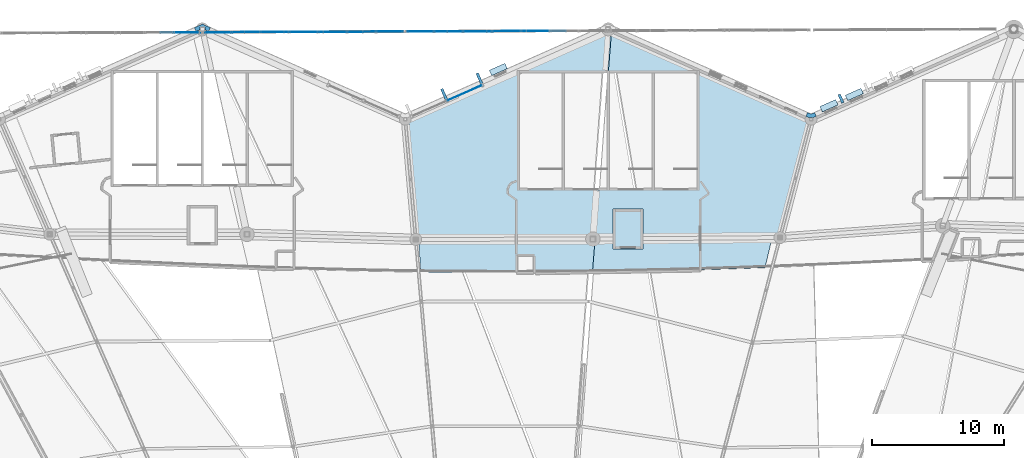
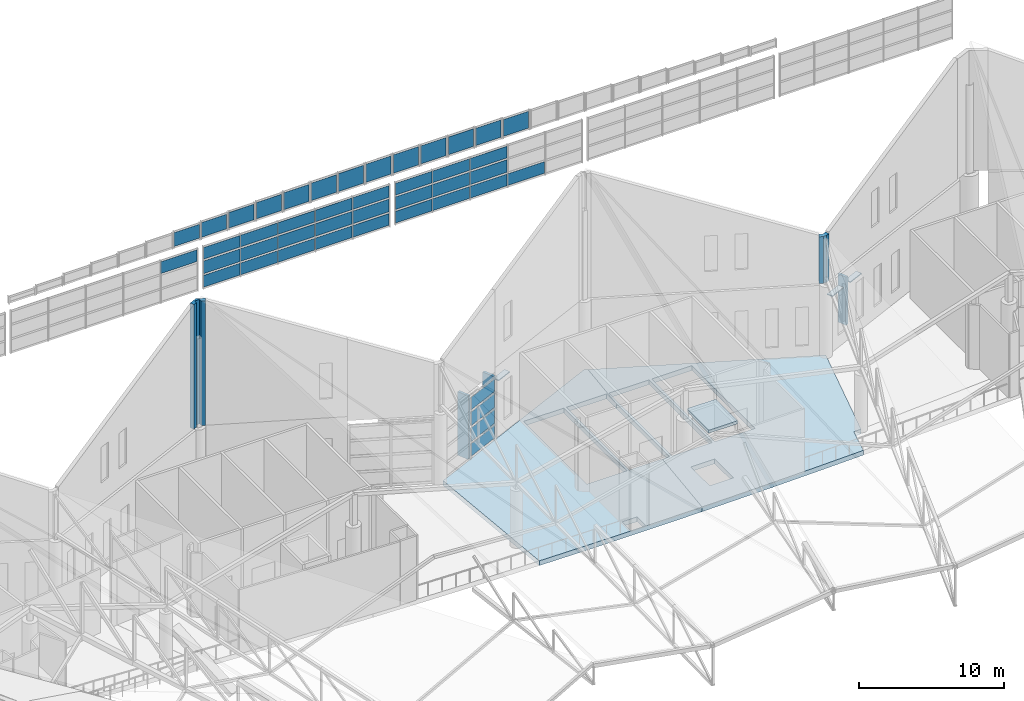
# One storey, part 238 of 344: 51 plates, 3 slabs, 17 elements without a shape of their own.
"""IFC4 building model written with IfcOpenShell, lengths in metres."""

from ifc_helpers import new_model, si_unit, direction, frame, origin, origin_2d, place, context, subcontext, project, spatial, polyline, rectangle, outline, extrude, material, layer, layer_set, type_object, element, aggregate, save


model = new_model("IFC4")

# Units and contexts
model_context = context("Model", 3, precision=1e-05, world=origin(), true_north=direction((0.0, 1.0)))
body_context = subcontext(model_context, "Body", "Model", "MODEL_VIEW")
ifc_project = project(units=[si_unit("LENGTHUNIT", "METRE"), si_unit("AREAUNIT", "SQUARE_METRE"), si_unit("VOLUMEUNIT", "CUBIC_METRE"), si_unit("PLANEANGLEUNIT", "RADIAN"), si_unit("MASSUNIT", "GRAM", prefix="KILO")], contexts=[model_context])

# Site, building, storey
site_placement = place(None, origin())
site = spatial("IfcSite", under=ifc_project, at=site_placement, CompositionType="ELEMENT")
building_placement = place(site_placement, origin())
building = spatial("IfcBuilding", under=site, at=building_placement, Name="Meseta Stadium", CompositionType="ELEMENT")
storey_placement = place(building_placement, frame((0.0, 0.0, 24.0)))
storey = spatial("IfcBuildingStorey", under=building, at=storey_placement, Name="L04", CompositionType="ELEMENT", Elevation=24.0)

# Plates
ifc_material_1 = material(Name="White precast concrete C40/50", Category="concrete")
ifc_layer_1 = layer(ifc_material_1, 0.199951171875)
ifc_layer_set_1 = layer_set([ifc_layer_1], Name="Brise-soleil fin 200x900")
plate_type_1 = type_object("IfcPlateType", Name="Brise-soleil fin 200x900", PredefinedType="USERDEFINED", material=ifc_layer_set_1)
for number, where, z_axis, x_axis, name in (
    (1, (-2.05224609375, 101.664306640625, 0.0), (0.0, 0.0, 1.0), (-0.914139046248, -0.40540079443, 0.0), "Brise-soleil fin F18.1"),
    (2, (-4.72607421875, 100.478271484375, 0.0), (0.0, 0.0, 1.0), (-0.914139046248, -0.40540079443, 0.0), "Brise-soleil fin F18.2"),
):
    element("IfcPlate", number, at=place(storey_placement, frame(where, z_axis=z_axis, x_axis=x_axis)), inside=storey, type_object=plate_type_1, Name=name, ObjectType="FIN", PredefinedType="USERDEFINED", context=body_context, shape_type="SweptSolid", body=[
        extrude(rectangle(XDim=0.199951171875, YDim=0.89990234375, at=origin_2d()), origin(), (0.0, 0.0, 1.0), 5.35009765625),
    ])

# Curtain wall, plates
ifc_material_2 = material(Name="Steel S355", Category="steel")
ifc_layer_2 = layer(ifc_material_2, 0.300048828125)
ifc_layer_set_2 = layer_set([ifc_layer_2], Name="Valley atrium curtain wall")
curtain_wall_type_1 = type_object("IfcCurtainWallType", Name="Valley atrium curtain wall", PredefinedType="NOTDEFINED", material=ifc_layer_set_2)
curtain_wall_1_placement = place(storey_placement, origin())
curtain_wall_1 = element("IfcCurtainWall", 3, at=curtain_wall_1_placement, inside=storey, type_object=curtain_wall_type_1, Name="Valley atrium glazing F18", PredefinedType="NOTDEFINED")
ifc_material_3 = material(Name="Glass", Category="glass")
ifc_layer_3 = layer(ifc_material_3, 0.035888671875)
ifc_layer_set_3 = layer_set([ifc_layer_3], Name="CW glass panel 36")
plate_type_2 = type_object("IfcPlateType", Name="CW glass panel 36", PredefinedType="CURTAIN_PANEL", material=ifc_layer_set_3)
plate_1_placement = place(storey_placement, frame((-3.17626953125, 100.59130859375, 0.199951171875), z_axis=(0.0, 0.0, 1.0), x_axis=(-0.914139046206, -0.405400794526, 0.0)))
plate_1 = element("IfcPlate", 4, at=plate_1_placement, type_object=plate_type_2, Name="CWA panel 1.1", PredefinedType="CURTAIN_PANEL", context=body_context, shape_type="SweptSolid", body=[
    extrude(rectangle(XDim=2.77490234375, YDim=0.035888671875, at=origin_2d()), origin(), (0.0, 0.0, 1.0), 1.03759765625),
])
plate_2_placement = place(storey_placement, frame((-3.17626953125, 100.59130859375, 1.4375), z_axis=(0.0, 0.0, 1.0), x_axis=(-0.914139046206, -0.405400794526, 0.0)))
plate_2 = element("IfcPlate", 5, at=plate_2_placement, type_object=plate_type_2, Name="CWA panel 1.2", PredefinedType="CURTAIN_PANEL", context=body_context, shape_type="SweptSolid", body=[
    extrude(rectangle(XDim=2.77490234375, YDim=0.035888671875, at=origin_2d()), origin(), (0.0, 0.0, 1.0), 1.137451171875),
])
plate_3_placement = place(storey_placement, frame((-3.17626953125, 100.59130859375, 2.77490234375), z_axis=(0.0, 0.0, 1.0), x_axis=(-0.914139046206, -0.405400794526, 0.0)))
plate_3 = element("IfcPlate", 6, at=plate_3_placement, type_object=plate_type_2, Name="CWA panel 1.3", PredefinedType="CURTAIN_PANEL", context=body_context, shape_type="SweptSolid", body=[
    extrude(rectangle(XDim=2.77490234375, YDim=0.035888671875, at=origin_2d()), origin(), (0.0, 0.0, 1.0), 1.137451171875),
])
plate_4_placement = place(storey_placement, frame((-3.17626953125, 100.59130859375, 4.112548828125), z_axis=(0.0, 0.0, 1.0), x_axis=(-0.914139046206, -0.405400794526, 0.0)))
plate_4 = element("IfcPlate", 7, at=plate_4_placement, type_object=plate_type_2, Name="CWA panel 1.4", PredefinedType="CURTAIN_PANEL", context=body_context, shape_type="SweptSolid", body=[
    extrude(rectangle(XDim=2.77490234375, YDim=0.035888671875, at=origin_2d()), origin(), (0.0, 0.0, 1.0), 1.03759765625),
])
aggregate(curtain_wall_1, [plate_1, plate_2, plate_3, plate_4])

# Curtain wall, plate
ifc_material_4 = material(Name="Aluminium", Category="aluminium")
ifc_layer_4 = layer(ifc_material_4, 0.199951171875)
ifc_layer_set_4 = layer_set([ifc_layer_4], Name="Gable glazing curtain wall")
curtain_wall_type_2 = type_object("IfcCurtainWallType", Name="Gable glazing curtain wall", PredefinedType="NOTDEFINED", material=ifc_layer_set_4)
curtain_wall_2_placement = place(storey_placement, origin())
curtain_wall_2 = element("IfcCurtainWall", 8, at=curtain_wall_2_placement, inside=storey, type_object=curtain_wall_type_2, Name="Gable glazing north bay 17", PredefinedType="NOTDEFINED")
plate_5_placement = place(storey_placement, frame((2.181640625, 105.260986328125, 22.0048828125), z_axis=(0.0, 0.0, 1.0), x_axis=(-0.999992598213, -0.003847534181, 0.0)))
plate_5 = element("IfcPlate", 9, at=plate_5_placement, type_object=plate_type_2, Name="CWG panel 1.1", PredefinedType="CURTAIN_PANEL", context=body_context, shape_type="SweptSolid", body=[
    extrude(rectangle(XDim=2.01025390625, YDim=0.035888671875, at=origin_2d()), origin(), (0.0, 0.0, 1.0), 1.416748046875),
])
aggregate(curtain_wall_2, [plate_5])

curtain_wall_3_placement = place(storey_placement, origin())
curtain_wall_3 = element("IfcCurtainWall", 10, at=curtain_wall_3_placement, inside=storey, type_object=curtain_wall_type_2, Name="Gable glazing north bay 18", PredefinedType="NOTDEFINED")
plate_6_placement = place(storey_placement, frame((-0.012451171875, 105.25244140625, 22.0048828125), z_axis=(0.0, 0.0, 1.0), x_axis=(-0.999992598213, -0.003847534181, 0.0)))
plate_6 = element("IfcPlate", 11, at=plate_6_placement, type_object=plate_type_2, Name="CWG panel 1.1", PredefinedType="CURTAIN_PANEL", context=body_context, shape_type="SweptSolid", body=[
    extrude(rectangle(XDim=2.01025390625, YDim=0.035888671875, at=origin_2d()), origin(), (0.0, 0.0, 1.0), 1.46240234375),
])
aggregate(curtain_wall_3, [plate_6])

curtain_wall_4_placement = place(storey_placement, origin())
curtain_wall_4 = element("IfcCurtainWall", 12, at=curtain_wall_4_placement, inside=storey, type_object=curtain_wall_type_2, Name="Gable glazing north bay 19", PredefinedType="NOTDEFINED")
plate_7_placement = place(storey_placement, frame((-2.206787109375, 105.244140625, 22.005126953125), z_axis=(0.0, 0.0, 1.0), x_axis=(-0.999992598213, -0.003847534181, 0.0)))
plate_7 = element("IfcPlate", 13, at=plate_7_placement, type_object=plate_type_2, Name="CWG panel 1.1", PredefinedType="CURTAIN_PANEL", context=body_context, shape_type="SweptSolid", body=[
    extrude(rectangle(XDim=2.01025390625, YDim=0.035888671875, at=origin_2d()), origin(), (0.0, 0.0, 1.0), 1.49658203125),
])
aggregate(curtain_wall_4, [plate_7])

curtain_wall_5_placement = place(storey_placement, origin())
curtain_wall_5 = element("IfcCurtainWall", 14, at=curtain_wall_5_placement, inside=storey, type_object=curtain_wall_type_2, Name="Gable glazing north bay 20", PredefinedType="NOTDEFINED")
plate_8_placement = place(storey_placement, frame((-4.40087890625, 105.235595703125, 22.005126953125), z_axis=(0.0, 0.0, 1.0), x_axis=(-0.999992598213, -0.003847534181, 0.0)))
plate_8 = element("IfcPlate", 15, at=plate_8_placement, type_object=plate_type_2, Name="CWG panel 1.1", PredefinedType="CURTAIN_PANEL", context=body_context, shape_type="SweptSolid", body=[
    extrude(rectangle(XDim=2.01025390625, YDim=0.035888671875, at=origin_2d()), origin(), (0.0, 0.0, 1.0), 1.52001953125),
])
aggregate(curtain_wall_5, [plate_8])

curtain_wall_6_placement = place(storey_placement, origin())
curtain_wall_6 = element("IfcCurtainWall", 16, at=curtain_wall_6_placement, inside=storey, type_object=curtain_wall_type_2, Name="Gable glazing north bay 21", PredefinedType="NOTDEFINED")
plate_9_placement = place(storey_placement, frame((-6.594970703125, 105.22705078125, 22.0048828125), z_axis=(0.0, 0.0, 1.0), x_axis=(-0.999992598213, -0.003847534181, 0.0)))
plate_9 = element("IfcPlate", 17, at=plate_9_placement, type_object=plate_type_2, Name="CWG panel 1.1", PredefinedType="CURTAIN_PANEL", context=body_context, shape_type="SweptSolid", body=[
    extrude(rectangle(XDim=2.01025390625, YDim=0.035888671875, at=origin_2d()), origin(), (0.0, 0.0, 1.0), 1.53271484375),
])
aggregate(curtain_wall_6, [plate_9])

curtain_wall_7_placement = place(storey_placement, origin())
curtain_wall_7 = element("IfcCurtainWall", 18, at=curtain_wall_7_placement, inside=storey, type_object=curtain_wall_type_2, Name="Gable glazing north bay 22", PredefinedType="NOTDEFINED")
plate_10_placement = place(storey_placement, frame((-8.785400390625, 105.21875, 22.0048828125), z_axis=(0.0, 0.0, 1.0), x_axis=(-0.999992598213, -0.003847534233, 0.0)))
plate_10 = element("IfcPlate", 19, at=plate_10_placement, type_object=plate_type_2, Name="CWG panel 1.1", PredefinedType="CURTAIN_PANEL", context=body_context, shape_type="SweptSolid", body=[
    extrude(rectangle(XDim=2.002685546875, YDim=0.035888671875, at=origin_2d()), origin(), (0.0, 0.0, 1.0), 1.525146484375),
])
aggregate(curtain_wall_7, [plate_10])

curtain_wall_8_placement = place(storey_placement, origin())
curtain_wall_8 = element("IfcCurtainWall", 20, at=curtain_wall_8_placement, inside=storey, type_object=curtain_wall_type_2, Name="Gable glazing north bay 23", PredefinedType="NOTDEFINED")
plate_11_placement = place(storey_placement, frame((-10.97216796875, 105.210205078125, 22.0048828125), z_axis=(0.0, 0.0, 1.0), x_axis=(-0.999992598213, -0.003847534233, 0.0)))
plate_11 = element("IfcPlate", 21, at=plate_11_placement, type_object=plate_type_2, Name="CWG panel 1.1", PredefinedType="CURTAIN_PANEL", context=body_context, shape_type="SweptSolid", body=[
    extrude(rectangle(XDim=2.002685546875, YDim=0.035888671875, at=origin_2d()), origin(), (0.0, 0.0, 1.0), 1.50537109375),
])
aggregate(curtain_wall_8, [plate_11])

curtain_wall_9_placement = place(storey_placement, origin())
curtain_wall_9 = element("IfcCurtainWall", 22, at=curtain_wall_9_placement, inside=storey, type_object=curtain_wall_type_2, Name="Gable glazing north bay 24", PredefinedType="NOTDEFINED")
plate_12_placement = place(storey_placement, frame((-13.158935546875, 105.201904296875, 22.0048828125), z_axis=(0.0, 0.0, 1.0), x_axis=(-0.999992598213, -0.003847534233, 0.0)))
plate_12 = element("IfcPlate", 23, at=plate_12_placement, type_object=plate_type_2, Name="CWG panel 1.1", PredefinedType="CURTAIN_PANEL", context=body_context, shape_type="SweptSolid", body=[
    extrude(rectangle(XDim=2.002685546875, YDim=0.035888671875, at=origin_2d()), origin(), (0.0, 0.0, 1.0), 1.474609375),
])
aggregate(curtain_wall_9, [plate_12])

curtain_wall_10_placement = place(storey_placement, origin())
curtain_wall_10 = element("IfcCurtainWall", 24, at=curtain_wall_10_placement, inside=storey, type_object=curtain_wall_type_2, Name="Gable glazing north bay 25", PredefinedType="NOTDEFINED")
plate_13_placement = place(storey_placement, frame((-15.345703125, 105.193359375, 22.0048828125), z_axis=(0.0, 0.0, 1.0), x_axis=(-0.999992598213, -0.003847534233, 0.0)))
plate_13 = element("IfcPlate", 25, at=plate_13_placement, type_object=plate_type_2, Name="CWG panel 1.1", PredefinedType="CURTAIN_PANEL", context=body_context, shape_type="SweptSolid", body=[
    extrude(rectangle(XDim=2.002685546875, YDim=0.035888671875, at=origin_2d()), origin(), (0.0, 0.0, 1.0), 1.432861328125),
])
aggregate(curtain_wall_10, [plate_13])

curtain_wall_11_placement = place(storey_placement, origin())
curtain_wall_11 = element("IfcCurtainWall", 26, at=curtain_wall_11_placement, inside=storey, type_object=curtain_wall_type_2, Name="Gable glazing north bay 26", PredefinedType="NOTDEFINED")
plate_14_placement = place(storey_placement, frame((-17.5322265625, 105.18505859375, 22.005126953125), z_axis=(0.0, 0.0, 1.0), x_axis=(-0.999992598213, -0.003847534233, 0.0)))
plate_14 = element("IfcPlate", 27, at=plate_14_placement, type_object=plate_type_2, Name="CWG panel 1.1", PredefinedType="CURTAIN_PANEL", context=body_context, shape_type="SweptSolid", body=[
    extrude(rectangle(XDim=2.002685546875, YDim=0.035888671875, at=origin_2d()), origin(), (0.0, 0.0, 1.0), 1.3798828125),
])
aggregate(curtain_wall_11, [plate_14])

curtain_wall_12_placement = place(storey_placement, origin())
curtain_wall_12 = element("IfcCurtainWall", 28, at=curtain_wall_12_placement, inside=storey, type_object=curtain_wall_type_2, Name="Gable glazing north bay 27", PredefinedType="NOTDEFINED")
plate_15_placement = place(storey_placement, frame((-19.718994140625, 105.1767578125, 22.005126953125), z_axis=(0.0, 0.0, 1.0), x_axis=(-0.999992598213, -0.003847534233, 0.0)))
plate_15 = element("IfcPlate", 29, at=plate_15_placement, type_object=plate_type_2, Name="CWG panel 1.1", PredefinedType="CURTAIN_PANEL", context=body_context, shape_type="SweptSolid", body=[
    extrude(rectangle(XDim=2.002685546875, YDim=0.035888671875, at=origin_2d()), origin(), (0.0, 0.0, 1.0), 1.31591796875),
])
aggregate(curtain_wall_12, [plate_15])

curtain_wall_13_placement = place(storey_placement, origin())
curtain_wall_13 = element("IfcCurtainWall", 30, at=curtain_wall_13_placement, inside=storey, type_object=curtain_wall_type_2, Name="Gable glazing north bay 28", PredefinedType="NOTDEFINED")
plate_16_placement = place(storey_placement, frame((-21.90576171875, 105.168212890625, 22.0048828125), z_axis=(0.0, 0.0, 1.0), x_axis=(-0.999992598213, -0.003847534233, 0.0)))
plate_16 = element("IfcPlate", 31, at=plate_16_placement, type_object=plate_type_2, Name="CWG panel 1.1", PredefinedType="CURTAIN_PANEL", context=body_context, shape_type="SweptSolid", body=[
    extrude(rectangle(XDim=2.002685546875, YDim=0.035888671875, at=origin_2d()), origin(), (0.0, 0.0, 1.0), 1.24072265625),
])
aggregate(curtain_wall_13, [plate_16])

curtain_wall_14_placement = place(storey_placement, origin())
curtain_wall_14 = element("IfcCurtainWall", 32, at=curtain_wall_14_placement, inside=storey, type_object=curtain_wall_type_2, Name="Gable glazing north bay 29", PredefinedType="NOTDEFINED")
plate_17_placement = place(storey_placement, frame((-24.09619140625, 105.159912109375, 22.0048828125), z_axis=(0.0, 0.0, 1.0), x_axis=(-0.999992598213, -0.003847534181, 0.0)))
plate_17 = element("IfcPlate", 33, at=plate_17_placement, type_object=plate_type_2, Name="CWG panel 1.1", PredefinedType="CURTAIN_PANEL", context=body_context, shape_type="SweptSolid", body=[
    extrude(rectangle(XDim=2.01025390625, YDim=0.035888671875, at=origin_2d()), origin(), (0.0, 0.0, 1.0), 1.153564453125),
])
aggregate(curtain_wall_14, [plate_17])

# Curtain wall, plates
curtain_wall_15_placement = place(storey_placement, origin())
curtain_wall_15 = element("IfcCurtainWall", 34, at=curtain_wall_15_placement, inside=storey, type_object=curtain_wall_type_2, Name="Gable glazing north lower bay 03", PredefinedType="NOTDEFINED")
plate_18_placement = place(storey_placement, frame((2.981201171875, 105.263916015625, 17.75), z_axis=(0.0, 0.0, 1.0), x_axis=(-0.999992598213, -0.003847534216, 0.0)))
plate_18 = element("IfcPlate", 35, at=plate_18_placement, type_object=plate_type_2, Name="CWG panel 2.1", PredefinedType="CURTAIN_PANEL", context=body_context, shape_type="SweptSolid", body=[
    extrude(rectangle(XDim=2.93359375, YDim=0.035888671875, at=origin_2d()), origin(), (0.0, 0.0, 1.0), 0.986572265625),
])
plate_19_placement = place(storey_placement, frame((-0.012451171875, 105.25244140625, 17.75), z_axis=(0.0, 0.0, 1.0), x_axis=(-0.999992598213, -0.003847534216, 0.0)))
plate_19 = element("IfcPlate", 36, at=plate_19_placement, type_object=plate_type_2, Name="CWG panel 3.1", PredefinedType="CURTAIN_PANEL", context=body_context, shape_type="SweptSolid", body=[
    extrude(rectangle(XDim=2.93359375, YDim=0.035888671875, at=origin_2d()), origin(), (0.0, 0.0, 1.0), 0.986572265625),
])
plate_20_placement = place(storey_placement, frame((-0.012451171875, 105.25244140625, 18.88671875), z_axis=(0.0, 0.0, 1.0), x_axis=(-0.999992598213, -0.003847534216, 0.0)))
plate_20 = element("IfcPlate", 37, at=plate_20_placement, type_object=plate_type_2, Name="CWG panel 3.2", PredefinedType="CURTAIN_PANEL", context=body_context, shape_type="SweptSolid", body=[
    extrude(rectangle(XDim=2.93359375, YDim=0.035888671875, at=origin_2d()), origin(), (0.0, 0.0, 1.0), 1.061767578125),
])
plate_21_placement = place(storey_placement, frame((-0.012451171875, 105.25244140625, 20.09814453125), z_axis=(0.0, 0.0, 1.0), x_axis=(-0.999992598213, -0.003847534216, 0.0)))
plate_21 = element("IfcPlate", 38, at=plate_21_placement, type_object=plate_type_2, Name="CWG panel 3.3", PredefinedType="CURTAIN_PANEL", context=body_context, shape_type="SweptSolid", body=[
    extrude(rectangle(XDim=2.93359375, YDim=0.035888671875, at=origin_2d()), origin(), (0.0, 0.0, 1.0), 0.986572265625),
])
plate_22_placement = place(storey_placement, frame((-3.006103515625, 105.240966796875, 17.75), z_axis=(0.0, 0.0, 1.0), x_axis=(-0.999992598213, -0.003847534216, 0.0)))
plate_22 = element("IfcPlate", 39, at=plate_22_placement, type_object=plate_type_2, Name="CWG panel 4.1", PredefinedType="CURTAIN_PANEL", context=body_context, shape_type="SweptSolid", body=[
    extrude(rectangle(XDim=2.93359375, YDim=0.035888671875, at=origin_2d()), origin(), (0.0, 0.0, 1.0), 0.986572265625),
])
plate_23_placement = place(storey_placement, frame((-3.006103515625, 105.240966796875, 18.88671875), z_axis=(0.0, 0.0, 1.0), x_axis=(-0.999992598213, -0.003847534216, 0.0)))
plate_23 = element("IfcPlate", 40, at=plate_23_placement, type_object=plate_type_2, Name="CWG panel 4.2", PredefinedType="CURTAIN_PANEL", context=body_context, shape_type="SweptSolid", body=[
    extrude(rectangle(XDim=2.93359375, YDim=0.035888671875, at=origin_2d()), origin(), (0.0, 0.0, 1.0), 1.061767578125),
])
plate_24_placement = place(storey_placement, frame((-3.006103515625, 105.240966796875, 20.09814453125), z_axis=(0.0, 0.0, 1.0), x_axis=(-0.999992598213, -0.003847534216, 0.0)))
plate_24 = element("IfcPlate", 41, at=plate_24_placement, type_object=plate_type_2, Name="CWG panel 4.3", PredefinedType="CURTAIN_PANEL", context=body_context, shape_type="SweptSolid", body=[
    extrude(rectangle(XDim=2.93359375, YDim=0.035888671875, at=origin_2d()), origin(), (0.0, 0.0, 1.0), 0.986572265625),
])
plate_25_placement = place(storey_placement, frame((-5.98486328125, 105.2294921875, 17.75), z_axis=(0.0, 0.0, 1.0), x_axis=(-0.999992598213, -0.003847534216, 0.0)))
plate_25 = element("IfcPlate", 42, at=plate_25_placement, type_object=plate_type_2, Name="CWG panel 5.1", PredefinedType="CURTAIN_PANEL", context=body_context, shape_type="SweptSolid", body=[
    extrude(rectangle(XDim=2.903564453125, YDim=0.035888671875, at=origin_2d()), origin(), (0.0, 0.0, 1.0), 0.986572265625),
])
plate_26_placement = place(storey_placement, frame((-5.98486328125, 105.2294921875, 18.88671875), z_axis=(0.0, 0.0, 1.0), x_axis=(-0.999992598213, -0.003847534216, 0.0)))
plate_26 = element("IfcPlate", 43, at=plate_26_placement, type_object=plate_type_2, Name="CWG panel 5.2", PredefinedType="CURTAIN_PANEL", context=body_context, shape_type="SweptSolid", body=[
    extrude(rectangle(XDim=2.903564453125, YDim=0.035888671875, at=origin_2d()), origin(), (0.0, 0.0, 1.0), 1.061767578125),
])
plate_27_placement = place(storey_placement, frame((-5.98486328125, 105.2294921875, 20.09814453125), z_axis=(0.0, 0.0, 1.0), x_axis=(-0.999992598213, -0.003847534216, 0.0)))
plate_27 = element("IfcPlate", 44, at=plate_27_placement, type_object=plate_type_2, Name="CWG panel 5.3", PredefinedType="CURTAIN_PANEL", context=body_context, shape_type="SweptSolid", body=[
    extrude(rectangle(XDim=2.903564453125, YDim=0.035888671875, at=origin_2d()), origin(), (0.0, 0.0, 1.0), 0.986572265625),
])
aggregate(curtain_wall_15, [plate_18, plate_19, plate_20, plate_21, plate_22, plate_23, plate_24, plate_25, plate_26, plate_27])

curtain_wall_16_placement = place(storey_placement, origin())
curtain_wall_16 = element("IfcCurtainWall", 45, at=curtain_wall_16_placement, inside=storey, type_object=curtain_wall_type_2, Name="Gable glazing north lower bay 04", PredefinedType="NOTDEFINED")
plate_28_placement = place(storey_placement, frame((-9.394287109375, 105.21630859375, 17.75), z_axis=(0.0, 0.0, 1.0), x_axis=(-0.999992598213, -0.003847534198, 0.0)))
plate_28 = element("IfcPlate", 46, at=plate_28_placement, type_object=plate_type_2, Name="CWG panel 1.1", PredefinedType="CURTAIN_PANEL", context=body_context, shape_type="SweptSolid", body=[
    extrude(rectangle(XDim=2.893310546875, YDim=0.035888671875, at=origin_2d()), origin(), (0.0, 0.0, 1.0), 0.986572265625),
])
plate_29_placement = place(storey_placement, frame((-9.394287109375, 105.21630859375, 18.88671875), z_axis=(0.0, 0.0, 1.0), x_axis=(-0.999992598213, -0.003847534198, 0.0)))
plate_29 = element("IfcPlate", 47, at=plate_29_placement, type_object=plate_type_2, Name="CWG panel 1.2", PredefinedType="CURTAIN_PANEL", context=body_context, shape_type="SweptSolid", body=[
    extrude(rectangle(XDim=2.893310546875, YDim=0.035888671875, at=origin_2d()), origin(), (0.0, 0.0, 1.0), 1.061767578125),
])
plate_30_placement = place(storey_placement, frame((-9.394287109375, 105.21630859375, 20.09814453125), z_axis=(0.0, 0.0, 1.0), x_axis=(-0.999992598213, -0.003847534198, 0.0)))
plate_30 = element("IfcPlate", 48, at=plate_30_placement, type_object=plate_type_2, Name="CWG panel 1.3", PredefinedType="CURTAIN_PANEL", context=body_context, shape_type="SweptSolid", body=[
    extrude(rectangle(XDim=2.893310546875, YDim=0.035888671875, at=origin_2d()), origin(), (0.0, 0.0, 1.0), 0.986572265625),
])
plate_31_placement = place(storey_placement, frame((-12.362548828125, 105.204833984375, 17.75), z_axis=(0.0, 0.0, 1.0), x_axis=(-0.999992598213, -0.003847534198, 0.0)))
plate_31 = element("IfcPlate", 49, at=plate_31_placement, type_object=plate_type_2, Name="CWG panel 2.1", PredefinedType="CURTAIN_PANEL", context=body_context, shape_type="SweptSolid", body=[
    extrude(rectangle(XDim=2.923095703125, YDim=0.035888671875, at=origin_2d()), origin(), (0.0, 0.0, 1.0), 0.986572265625),
])
plate_32_placement = place(storey_placement, frame((-12.362548828125, 105.204833984375, 18.88671875), z_axis=(0.0, 0.0, 1.0), x_axis=(-0.999992598213, -0.003847534198, 0.0)))
plate_32 = element("IfcPlate", 50, at=plate_32_placement, type_object=plate_type_2, Name="CWG panel 2.2", PredefinedType="CURTAIN_PANEL", context=body_context, shape_type="SweptSolid", body=[
    extrude(rectangle(XDim=2.923095703125, YDim=0.035888671875, at=origin_2d()), origin(), (0.0, 0.0, 1.0), 1.061767578125),
])
plate_33_placement = place(storey_placement, frame((-12.362548828125, 105.204833984375, 20.09814453125), z_axis=(0.0, 0.0, 1.0), x_axis=(-0.999992598213, -0.003847534198, 0.0)))
plate_33 = element("IfcPlate", 51, at=plate_33_placement, type_object=plate_type_2, Name="CWG panel 2.3", PredefinedType="CURTAIN_PANEL", context=body_context, shape_type="SweptSolid", body=[
    extrude(rectangle(XDim=2.923095703125, YDim=0.035888671875, at=origin_2d()), origin(), (0.0, 0.0, 1.0), 0.986572265625),
])
plate_34_placement = place(storey_placement, frame((-15.345703125, 105.193359375, 17.75), z_axis=(0.0, 0.0, 1.0), x_axis=(-0.999992598213, -0.003847534198, 0.0)))
plate_34 = element("IfcPlate", 52, at=plate_34_placement, type_object=plate_type_2, Name="CWG panel 3.1", PredefinedType="CURTAIN_PANEL", context=body_context, shape_type="SweptSolid", body=[
    extrude(rectangle(XDim=2.923095703125, YDim=0.035888671875, at=origin_2d()), origin(), (0.0, 0.0, 1.0), 0.986572265625),
])
plate_35_placement = place(storey_placement, frame((-15.345703125, 105.193359375, 18.88671875), z_axis=(0.0, 0.0, 1.0), x_axis=(-0.999992598213, -0.003847534198, 0.0)))
plate_35 = element("IfcPlate", 53, at=plate_35_placement, type_object=plate_type_2, Name="CWG panel 3.2", PredefinedType="CURTAIN_PANEL", context=body_context, shape_type="SweptSolid", body=[
    extrude(rectangle(XDim=2.923095703125, YDim=0.035888671875, at=origin_2d()), origin(), (0.0, 0.0, 1.0), 1.061767578125),
])
plate_36_placement = place(storey_placement, frame((-15.345703125, 105.193359375, 20.09814453125), z_axis=(0.0, 0.0, 1.0), x_axis=(-0.999992598213, -0.003847534198, 0.0)))
plate_36 = element("IfcPlate", 54, at=plate_36_placement, type_object=plate_type_2, Name="CWG panel 3.3", PredefinedType="CURTAIN_PANEL", context=body_context, shape_type="SweptSolid", body=[
    extrude(rectangle(XDim=2.923095703125, YDim=0.035888671875, at=origin_2d()), origin(), (0.0, 0.0, 1.0), 0.986572265625),
])
plate_37_placement = place(storey_placement, frame((-18.328857421875, 105.181884765625, 17.75), z_axis=(0.0, 0.0, 1.0), x_axis=(-0.999992598213, -0.003847534198, 0.0)))
plate_37 = element("IfcPlate", 55, at=plate_37_placement, type_object=plate_type_2, Name="CWG panel 4.1", PredefinedType="CURTAIN_PANEL", context=body_context, shape_type="SweptSolid", body=[
    extrude(rectangle(XDim=2.923095703125, YDim=0.035888671875, at=origin_2d()), origin(), (0.0, 0.0, 1.0), 0.986572265625),
])
plate_38_placement = place(storey_placement, frame((-18.328857421875, 105.181884765625, 18.88671875), z_axis=(0.0, 0.0, 1.0), x_axis=(-0.999992598213, -0.003847534198, 0.0)))
plate_38 = element("IfcPlate", 56, at=plate_38_placement, type_object=plate_type_2, Name="CWG panel 4.2", PredefinedType="CURTAIN_PANEL", context=body_context, shape_type="SweptSolid", body=[
    extrude(rectangle(XDim=2.923095703125, YDim=0.035888671875, at=origin_2d()), origin(), (0.0, 0.0, 1.0), 1.061767578125),
])
plate_39_placement = place(storey_placement, frame((-18.328857421875, 105.181884765625, 20.09814453125), z_axis=(0.0, 0.0, 1.0), x_axis=(-0.999992598213, -0.003847534198, 0.0)))
plate_39 = element("IfcPlate", 57, at=plate_39_placement, type_object=plate_type_2, Name="CWG panel 4.3", PredefinedType="CURTAIN_PANEL", context=body_context, shape_type="SweptSolid", body=[
    extrude(rectangle(XDim=2.923095703125, YDim=0.035888671875, at=origin_2d()), origin(), (0.0, 0.0, 1.0), 0.986572265625),
])
plate_40_placement = place(storey_placement, frame((-21.297119140625, 105.170654296875, 17.75), z_axis=(0.0, 0.0, 1.0), x_axis=(-0.999992598213, -0.003847534198, 0.0)))
plate_40 = element("IfcPlate", 58, at=plate_40_placement, type_object=plate_type_2, Name="CWG panel 5.1", PredefinedType="CURTAIN_PANEL", context=body_context, shape_type="SweptSolid", body=[
    extrude(rectangle(XDim=2.893310546875, YDim=0.035888671875, at=origin_2d()), origin(), (0.0, 0.0, 1.0), 0.986572265625),
])
plate_41_placement = place(storey_placement, frame((-21.297119140625, 105.170654296875, 18.88671875), z_axis=(0.0, 0.0, 1.0), x_axis=(-0.999992598213, -0.003847534198, 0.0)))
plate_41 = element("IfcPlate", 59, at=plate_41_placement, type_object=plate_type_2, Name="CWG panel 5.2", PredefinedType="CURTAIN_PANEL", context=body_context, shape_type="SweptSolid", body=[
    extrude(rectangle(XDim=2.893310546875, YDim=0.035888671875, at=origin_2d()), origin(), (0.0, 0.0, 1.0), 1.061767578125),
])
plate_42_placement = place(storey_placement, frame((-21.297119140625, 105.170654296875, 20.09814453125), z_axis=(0.0, 0.0, 1.0), x_axis=(-0.999992598213, -0.003847534198, 0.0)))
plate_42 = element("IfcPlate", 60, at=plate_42_placement, type_object=plate_type_2, Name="CWG panel 5.3", PredefinedType="CURTAIN_PANEL", context=body_context, shape_type="SweptSolid", body=[
    extrude(rectangle(XDim=2.893310546875, YDim=0.035888671875, at=origin_2d()), origin(), (0.0, 0.0, 1.0), 0.986572265625),
])
aggregate(curtain_wall_16, [plate_28, plate_29, plate_30, plate_31, plate_32, plate_33, plate_34, plate_35, plate_36, plate_37, plate_38, plate_39, plate_40, plate_41, plate_42])

# Curtain wall, plate
curtain_wall_17_placement = place(storey_placement, origin())
curtain_wall_17 = element("IfcCurtainWall", 61, at=curtain_wall_17_placement, inside=storey, type_object=curtain_wall_type_2, Name="Gable glazing north lower bay 05", PredefinedType="NOTDEFINED")
plate_43_placement = place(storey_placement, frame((-24.706298828125, 105.157470703125, 20.09814453125), z_axis=(0.0, 0.0, 1.0), x_axis=(-0.999992598213, -0.003847534216, 0.0)))
plate_43 = element("IfcPlate", 62, at=plate_43_placement, type_object=plate_type_2, Name="CWG panel 1.3", PredefinedType="CURTAIN_PANEL", context=body_context, shape_type="SweptSolid", body=[
    extrude(rectangle(XDim=2.903564453125, YDim=0.035888671875, at=origin_2d()), origin(), (0.0, 0.0, 1.0), 0.986572265625),
])
aggregate(curtain_wall_17, [plate_43])

# Slabs
ifc_material_5 = material(Name="Concrete C40/50", Category="concrete")
ifc_layer_5 = layer(ifc_material_5, 0.25)
ifc_layer_set_5 = layer_set([ifc_layer_5], Name="Core roof slab 250")
slab_type_1 = type_object("IfcSlabType", Name="Core roof slab 250", PredefinedType="ROOF", material=ifc_layer_set_5)
slab_1_placement = place(storey_placement, frame((0.0, 0.0, 4.60009765625)))
element("IfcSlab", 63, at=slab_1_placement, inside=storey, type_object=slab_type_1, Name="Core 10 lift overrun roof", PredefinedType="ROOF", context=body_context, shape_type="SweptSolid", body=[
    extrude(outline(polyline([(10.316650390625, 91.800048828125), (10.316650390625, 88.800048828125), (8.0166015625, 88.800048828125), (8.0166015625, 91.800048828125), (10.316650390625, 91.800048828125)])), origin(), (0.0, 0.0, 1.0), 0.25),
])
ifc_material_6 = material(Name="Concrete C40/50", Category="concrete")
ifc_layer_6 = layer(ifc_material_6, 0.39990234375)
ifc_layer_set_6 = layer_set([ifc_layer_6], Name="Floor slab 400")
slab_type_2 = type_object("IfcSlabType", Name="Floor slab 400", PredefinedType="FLOOR", material=ifc_layer_set_6)
slab_2_placement = place(storey_placement, frame((0.0, 0.0, -0.39990234375)))
element("IfcSlab", 64, at=slab_2_placement, inside=storey, type_object=slab_type_2, Name="Floor slab L04 sector 14 panel 03", PredefinedType="FLOOR", context=body_context, shape_type="SweptSolid", body=[
    extrude(outline(polyline([(7.566650390625, 102.10009765625), (7.566650390625, 100.740478515625), (7.92724609375, 105.284423828125), (7.666748046875, 105.39990234375), (-7.406005859375, 98.715576171875), (-6.4794921875, 87.04345703125), (-4.318603515625, 87.019287109375), (-2.158935546875, 87.0048828125), (0.0, 87.0), (2.158935546875, 87.0048828125), (4.318603515625, 87.019287109375), (6.4794921875, 87.04345703125), (6.984130859375, 93.39990234375), (4.36669921875, 93.39990234375), (4.36669921875, 102.10009765625), (7.566650390625, 102.10009765625)]), holes=[polyline([(0.966796875, 102.10009765625), (4.166748046875, 102.10009765625), (4.166748046875, 93.39990234375), (0.966796875, 93.39990234375), (0.966796875, 102.10009765625)]), polyline([(0.816650390625, 87.050048828125), (0.816650390625, 88.25), (2.0166015625, 88.25), (2.0166015625, 87.050048828125), (0.816650390625, 87.050048828125)])]), origin(), (0.0, 0.0, 1.0), 0.39990234375),
])
slab_3_placement = place(storey_placement, frame((0.0, 0.0, -0.39990234375)))
element("IfcSlab", 65, at=slab_3_placement, inside=storey, type_object=slab_type_2, Name="Floor slab L04 sector 14 panel 04", PredefinedType="FLOOR", context=body_context, shape_type="SweptSolid", body=[
    extrude(outline(polyline([(8.64306640625, 87.0771484375), (10.8095703125, 87.119873046875), (12.9794921875, 87.171630859375), (15.154052734375, 87.23193359375), (17.33349609375, 87.30078125), (19.518310546875, 87.37744140625), (20.059814453125, 89.651611328125), (20.649658203125, 89.65625), (23.0, 98.60009765625), (7.92724609375, 105.284423828125), (7.566650390625, 100.740478515625), (7.566650390625, 93.39990234375), (6.984130859375, 93.39990234375), (6.4794921875, 87.04345703125), (8.64306640625, 87.0771484375)]), holes=[polyline([(8.216796875, 91.60009765625), (10.11669921875, 91.60009765625), (10.11669921875, 89.0), (8.216796875, 89.0), (8.216796875, 91.60009765625)]), polyline([(10.966796875, 93.39990234375), (7.7666015625, 93.39990234375), (7.7666015625, 102.10009765625), (10.966796875, 102.10009765625), (10.966796875, 93.39990234375)]), polyline([(14.36669921875, 93.39990234375), (11.166748046875, 93.39990234375), (11.166748046875, 102.10009765625), (14.36669921875, 102.10009765625), (14.36669921875, 93.39990234375)])]), origin(), (0.0, 0.0, 1.0), 0.39990234375),
])

# Plates
ifc_material_7 = material(Name="White precast concrete C40/50", Category="concrete")
ifc_layer_7 = layer(ifc_material_7, 0.320068359375)
ifc_layer_set_7 = layer_set([ifc_layer_7], Name="Fold closer plate 320")
plate_type_3 = type_object("IfcPlateType", Name="Fold closer plate 320", PredefinedType="USERDEFINED", material=ifc_layer_set_7)
plate_44_placement = place(storey_placement, frame((0.0, 0.0, 6.0)))
element("IfcPlate", 66, at=plate_44_placement, inside=storey, type_object=plate_type_3, Name="Pleated fascia fold closer L04 F16", ObjectType="CLADDING", PredefinedType="USERDEFINED", context=body_context, shape_type="SweptSolid", body=[
    extrude(outline(polyline([(23.0, 98.993896484375), (22.735107421875, 99.111328125), (22.605224609375, 98.81884765625), (22.8798828125, 98.697021484375), (22.880859375, 98.7138671875), (22.888916015625, 98.719970703125), (23.110107421875, 98.719970703125), (23.119140625, 98.7138671875), (23.1201171875, 98.697021484375), (23.394775390625, 98.81884765625), (23.264892578125, 99.111328125), (23.0, 98.993896484375)])), origin(), (0.0, 0.0, 1.0), 3.9453125),
])
plate_45_placement = place(storey_placement, frame((0.0, 0.0, 6.0)))
element("IfcPlate", 67, at=plate_45_placement, inside=storey, type_object=plate_type_3, Name="Pleated fascia fold closer L04 F19", ObjectType="CLADDING", PredefinedType="USERDEFINED", context=body_context, shape_type="SweptSolid", body=[
    extrude(outline(polyline([(-23.0, 105.793701171875), (-23.6025390625, 105.526611328125), (-23.472900390625, 105.23388671875), (-23.18505859375, 105.36181640625), (-23.18505859375, 105.574951171875), (-23.1796875, 105.583740234375), (-22.824951171875, 105.5849609375), (-22.81787109375, 105.58203125), (-22.81494140625, 105.574951171875), (-22.81494140625, 105.36181640625), (-22.527099609375, 105.23388671875), (-22.3974609375, 105.526611328125), (-23.0, 105.793701171875)])), origin(), (0.0, 0.0, 1.0), 10.482421875),
])
ifc_material_8 = material(Name="White precast concrete C40/50", Category="concrete")
ifc_layer_8 = layer(ifc_material_8, 0.080078125)
ifc_layer_set_8 = layer_set([ifc_layer_8], Name="Louvre hood 1300x450")
plate_type_4 = type_object("IfcPlateType", Name="Louvre hood 1300x450", PredefinedType="USERDEFINED", material=ifc_layer_set_8)
for number, where, z_axis, x_axis, name in (
    (68, (24.352294921875, 99.620849609375, 4.25), (0.0, 0.0, 1.0), (-0.914139046248, -0.40540079443, 0.0), "Louvre hood L04 F16"),
    (69, (26.27197265625, 100.47216796875, 4.25), (0.0, 0.0, 1.0), (-0.914139046248, -0.40540079443, 0.0), "Louvre hood L04 F16"),
    (70, (-0.636474609375, 102.357666015625, 4.25), (0.0, 0.0, 1.0), (-0.914139046248, -0.40540079443, 0.0), "Louvre hood L04 F18"),
):
    element("IfcPlate", number, at=place(storey_placement, frame(where, z_axis=z_axis, x_axis=x_axis)), inside=storey, type_object=plate_type_4, Name=name, ObjectType="LOUVRE", PredefinedType="USERDEFINED", context=body_context, shape_type="SweptSolid", body=[
        extrude(rectangle(XDim=1.300048828125, YDim=0.449951171875, at=origin_2d()), origin(), (0.0, 0.0, 1.0), 0.080078125),
    ])
ifc_material_9 = material(Name="Precast concrete C40/50, terracotta pigment", Category="masonry")
ifc_layer_9 = layer(ifc_material_9, 0.199951171875)
ifc_layer_set_9 = layer_set([ifc_layer_9], Name="Precast concrete C40/50, terracotta pigment")
plate_type_5 = type_object("IfcPlateType", Name="Precast fin 200x700", PredefinedType="USERDEFINED", material=ifc_layer_set_9)
plate_46_placement = place(storey_placement, frame((25.261474609375, 100.160888671875, 0.9501953125), z_axis=(0.0, 0.0, 1.0), x_axis=(0.914139367606, 0.405400069798, 0.0)))
element("IfcPlate", 71, at=plate_46_placement, inside=storey, type_object=plate_type_5, Name="Precast fin L04 F16.1", ObjectType="FIN", PredefinedType="USERDEFINED", context=body_context, shape_type="SweptSolid", body=[
    extrude(rectangle(XDim=0.199951171875, YDim=0.699951171875, at=origin_2d()), origin(), (0.0, 0.0, 1.0), 4.050048828125),
])

save(model, "model.ifc")
